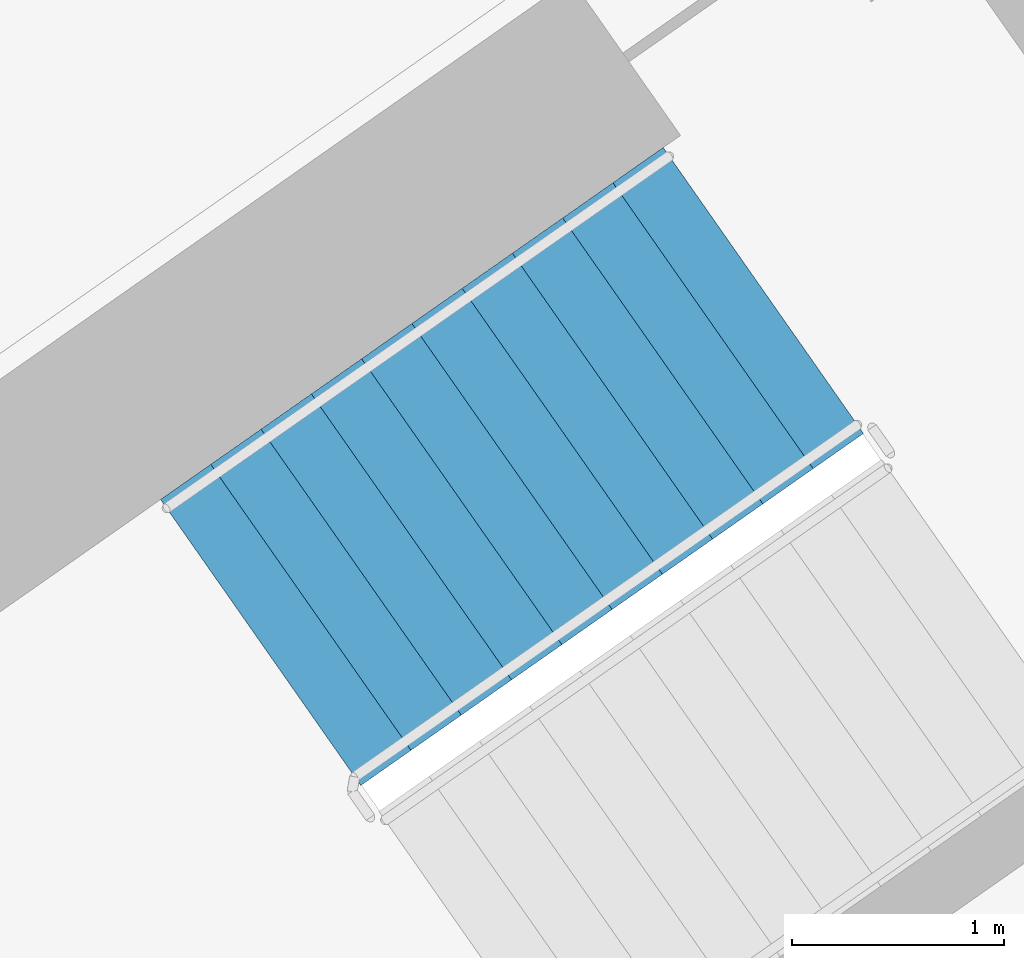
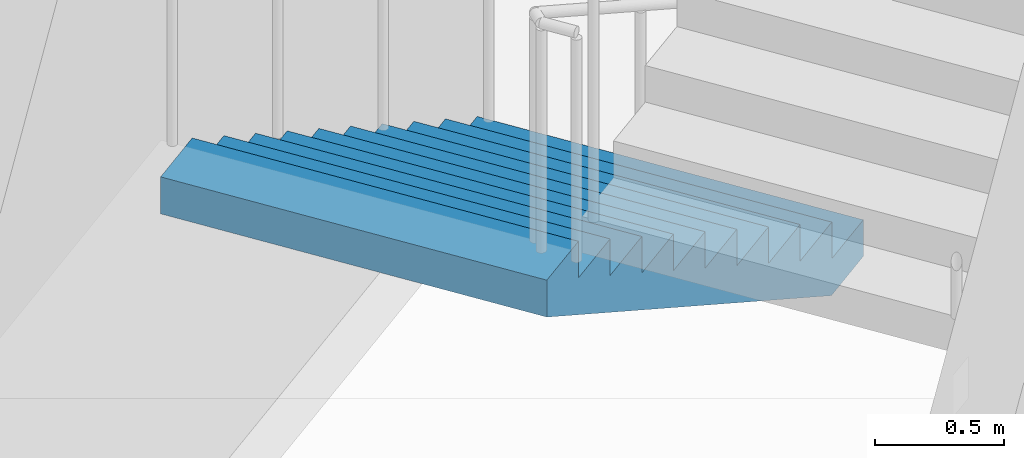
# One storey, part 14 of 31: 1 stair flight, 1 element without a shape of its own.
"""IFC4 building model written with IfcOpenShell, lengths in metres."""

from ifc_helpers import new_model, si_unit, direction, frame, origin, place, context, subcontext, project, spatial, faceted_brep, material, type_object, element, aggregate, save


model = new_model("IFC4")

# Units and contexts
model_context = context("Model", 3, precision=1e-05, world=origin(), true_north=direction((0.0, 1.0)))
body_context = subcontext(model_context, "Body", "Model", "MODEL_VIEW")
ifc_project = project(units=[si_unit("LENGTHUNIT", "METRE"), si_unit("AREAUNIT", "SQUARE_METRE"), si_unit("VOLUMEUNIT", "CUBIC_METRE"), si_unit("PLANEANGLEUNIT", "RADIAN"), si_unit("MASSUNIT", "GRAM", prefix="KILO")], contexts=[model_context])

# Site, building, storey
site_placement = place(None, origin())
site = spatial("IfcSite", under=ifc_project, at=site_placement, CompositionType="ELEMENT")
building_placement = place(site_placement, origin())
building = spatial("IfcBuilding", under=site, at=building_placement, Name="Qamariyya Broadcast Tower", CompositionType="ELEMENT")
storey_placement = place(building_placement, frame((0.0, 0.0, 55.699951171875)))
storey = spatial("IfcBuildingStorey", under=building, at=storey_placement, Name="L10", CompositionType="ELEMENT", Elevation=55.699951171875)

# Stair, stair flight
ifc_material = material(Name="Concrete C50/60", Category="concrete")
stair_type = type_object("IfcStairType", Name="Exit stair 22 risers of 173 mm", PredefinedType="HALF_TURN_STAIR", material=ifc_material)
stair_placement = place(storey_placement, origin())
stair = element("IfcStair", 1, at=stair_placement, inside=storey, type_object=stair_type, Name="L10 Stair E2", PredefinedType="HALF_TURN_STAIR")
stair_flight_type = type_object("IfcStairFlightType", Name="Exit stair flight 11 risers of 173 mm", PredefinedType="STRAIGHT", material=ifc_material)
stair_flight_placement = place(storey_placement, frame((40.558837890625, -47.685302734375, 0.0), z_axis=(0.0, 0.0, 1.0), x_axis=(-0.819152044289, -0.573576436351, 0.0)))
stair_flight = element("IfcStairFlight", 2, at=stair_flight_placement, type_object=stair_flight_type, Name="ST-E2 flight 1", NumberOfRisers=11, NumberOfTreads=10, PredefinedType="STRAIGHT", RiserHeight=0.172727273, TreadLength=0.29, context=body_context, shape_type="Brep", body=[
    faceted_brep([(0.0, 0.824951171875, 0.0), (0.0, 0.824951171875, 0.172607421875), (0.2900390625, 0.824951171875, 0.172607421875), (0.2900390625, 0.824951171875, 0.345458984375), (0.580078125, 0.824951171875, 0.345458984375), (0.580078125, 0.824951171875, 0.51806640625), (0.8701171875, 0.824951171875, 0.51806640625), (0.8701171875, 0.824951171875, 0.69091796875), (1.159912109375, 0.824951171875, 0.69091796875), (1.159912109375, 0.824951171875, 0.863525390625), (1.449951171875, 0.824951171875, 0.863525390625), (1.449951171875, 0.824951171875, 1.036376953125), (1.739990234375, 0.824951171875, 1.036376953125), (1.739990234375, 0.824951171875, 1.208984375), (2.030029296875, 0.824951171875, 1.208984375), (2.030029296875, 0.824951171875, 1.3818359375), (2.320068359375, 0.824951171875, 1.3818359375), (2.320068359375, 0.824951171875, 1.554443359375), (2.610107421875, 0.824951171875, 1.554443359375), (2.610107421875, 0.824951171875, 1.727294921875), (2.89990234375, 0.824951171875, 1.727294921875), (2.89990234375, 0.824951171875, 1.552734375), (0.29296875, 0.824951171875, 0.0), (0.29296875, -0.824951171875, 0.0), (2.89990234375, -0.824951171875, 1.552734375), (2.89990234375, -0.824951171875, 1.727294921875), (2.610107421875, -0.824951171875, 1.727294921875), (2.610107421875, -0.824951171875, 1.554443359375), (2.320068359375, -0.824951171875, 1.554443359375), (2.320068359375, -0.824951171875, 1.3818359375), (2.030029296875, -0.824951171875, 1.3818359375), (2.030029296875, -0.824951171875, 1.208984375), (1.739990234375, -0.824951171875, 1.208984375), (1.739990234375, -0.824951171875, 1.036376953125), (1.449951171875, -0.824951171875, 1.036376953125), (1.449951171875, -0.824951171875, 0.863525390625), (1.159912109375, -0.824951171875, 0.863525390625), (1.159912109375, -0.824951171875, 0.69091796875), (0.8701171875, -0.824951171875, 0.69091796875), (0.8701171875, -0.824951171875, 0.51806640625), (0.580078125, -0.824951171875, 0.51806640625), (0.580078125, -0.824951171875, 0.345458984375), (0.2900390625, -0.824951171875, 0.345458984375), (0.2900390625, -0.824951171875, 0.172607421875), (0.0, -0.824951171875, 0.172607421875), (0.0, -0.824951171875, 0.0), (0.0, 0.10009765625, 0.0), (0.0, 0.086669921875, 0.0), (0.0, 0.0732421875, 0.0), (0.0, 0.06005859375, 0.0), (0.0, 0.046630859375, 0.0), (0.0, 0.033447265625, 0.0), (0.0, 0.02001953125, 0.0), (0.0, 0.006591796875, 0.0), (0.0, -0.006591796875, 0.0), (0.0, -0.02001953125, 0.0), (0.0, -0.033447265625, 0.0), (0.0, -0.046630859375, 0.0), (0.0, -0.06005859375, 0.0), (0.0, -0.0732421875, 0.0), (0.0, -0.086669921875, 0.0), (0.0, -0.10009765625, 0.0), (0.0, -0.10009765625, 0.172607421875), (0.0, -0.086669921875, 0.172607421875), (0.0, -0.0732421875, 0.172607421875), (0.0, -0.06005859375, 0.172607421875), (0.0, -0.046630859375, 0.172607421875), (0.0, -0.033447265625, 0.172607421875), (0.0, -0.02001953125, 0.172607421875), (0.0, -0.006591796875, 0.172607421875), (0.0, 0.006591796875, 0.172607421875), (0.0, 0.02001953125, 0.172607421875), (0.0, 0.033447265625, 0.172607421875), (0.0, 0.046630859375, 0.172607421875), (0.0, 0.06005859375, 0.172607421875), (0.0, 0.0732421875, 0.172607421875), (0.0, 0.086669921875, 0.172607421875), (0.0, 0.10009765625, 0.172607421875), (0.2900390625, -0.10009765625, 0.172607421875), (0.2900390625, -0.086669921875, 0.172607421875), (0.2900390625, -0.0732421875, 0.172607421875), (0.2900390625, -0.06005859375, 0.172607421875), (0.2900390625, -0.046630859375, 0.172607421875), (0.2900390625, -0.033447265625, 0.172607421875), (0.2900390625, -0.02001953125, 0.172607421875), (0.2900390625, -0.006591796875, 0.172607421875), (0.2900390625, 0.006591796875, 0.172607421875), (0.2900390625, 0.02001953125, 0.172607421875), (0.2900390625, 0.033447265625, 0.172607421875), (0.2900390625, 0.046630859375, 0.172607421875), (0.2900390625, 0.06005859375, 0.172607421875), (0.2900390625, 0.0732421875, 0.172607421875), (0.2900390625, 0.086669921875, 0.172607421875), (0.2900390625, 0.10009765625, 0.172607421875), (0.2900390625, -0.10009765625, 0.345458984375), (0.2900390625, -0.086669921875, 0.345458984375), (0.2900390625, -0.0732421875, 0.345458984375), (0.2900390625, -0.06005859375, 0.345458984375), (0.2900390625, -0.046630859375, 0.345458984375), (0.2900390625, -0.033447265625, 0.345458984375), (0.2900390625, -0.02001953125, 0.345458984375), (0.2900390625, -0.006591796875, 0.345458984375), (0.2900390625, 0.006591796875, 0.345458984375), (0.2900390625, 0.02001953125, 0.345458984375), (0.2900390625, 0.033447265625, 0.345458984375), (0.2900390625, 0.046630859375, 0.345458984375), (0.2900390625, 0.06005859375, 0.345458984375), (0.2900390625, 0.0732421875, 0.345458984375), (0.2900390625, 0.086669921875, 0.345458984375), (0.2900390625, 0.10009765625, 0.345458984375), (0.580078125, -0.10009765625, 0.345458984375), (0.580078125, -0.086669921875, 0.345458984375), (0.580078125, -0.0732421875, 0.345458984375), (0.580078125, -0.06005859375, 0.345458984375), (0.580078125, -0.046630859375, 0.345458984375), (0.580078125, -0.033447265625, 0.345458984375), (0.580078125, -0.02001953125, 0.345458984375), (0.580078125, -0.006591796875, 0.345458984375), (0.580078125, 0.006591796875, 0.345458984375), (0.580078125, 0.02001953125, 0.345458984375), (0.580078125, 0.033447265625, 0.345458984375), (0.580078125, 0.046630859375, 0.345458984375), (0.580078125, 0.06005859375, 0.345458984375), (0.580078125, 0.0732421875, 0.345458984375), (0.580078125, 0.086669921875, 0.345458984375), (0.580078125, 0.10009765625, 0.345458984375), (0.580078125, -0.10009765625, 0.51806640625), (0.580078125, -0.086669921875, 0.51806640625), (0.580078125, -0.0732421875, 0.51806640625), (0.580078125, -0.06005859375, 0.51806640625), (0.580078125, -0.046630859375, 0.51806640625), (0.580078125, -0.033447265625, 0.51806640625), (0.580078125, -0.02001953125, 0.51806640625), (0.580078125, -0.006591796875, 0.51806640625), (0.580078125, 0.006591796875, 0.51806640625), (0.580078125, 0.02001953125, 0.51806640625), (0.580078125, 0.033447265625, 0.51806640625), (0.580078125, 0.046630859375, 0.51806640625), (0.580078125, 0.06005859375, 0.51806640625), (0.580078125, 0.0732421875, 0.51806640625), (0.580078125, 0.086669921875, 0.51806640625), (0.580078125, 0.10009765625, 0.51806640625), (0.8701171875, -0.10009765625, 0.51806640625), (0.8701171875, -0.086669921875, 0.51806640625), (0.8701171875, -0.0732421875, 0.51806640625), (0.8701171875, -0.06005859375, 0.51806640625), (0.8701171875, -0.046630859375, 0.51806640625), (0.8701171875, -0.033447265625, 0.51806640625), (0.8701171875, -0.02001953125, 0.51806640625), (0.8701171875, -0.006591796875, 0.51806640625), (0.8701171875, 0.006591796875, 0.51806640625), (0.8701171875, 0.02001953125, 0.51806640625), (0.8701171875, 0.033447265625, 0.51806640625), (0.8701171875, 0.046630859375, 0.51806640625), (0.8701171875, 0.06005859375, 0.51806640625), (0.8701171875, 0.0732421875, 0.51806640625), (0.8701171875, 0.086669921875, 0.51806640625), (0.8701171875, 0.10009765625, 0.51806640625), (0.8701171875, -0.10009765625, 0.69091796875), (0.8701171875, -0.086669921875, 0.69091796875), (0.8701171875, -0.0732421875, 0.69091796875), (0.8701171875, -0.06005859375, 0.69091796875), (0.8701171875, -0.046630859375, 0.69091796875), (0.8701171875, -0.033447265625, 0.69091796875), (0.8701171875, -0.02001953125, 0.69091796875), (0.8701171875, -0.006591796875, 0.69091796875), (0.8701171875, 0.006591796875, 0.69091796875), (0.8701171875, 0.02001953125, 0.69091796875), (0.8701171875, 0.033447265625, 0.69091796875), (0.8701171875, 0.046630859375, 0.69091796875), (0.8701171875, 0.06005859375, 0.69091796875), (0.8701171875, 0.0732421875, 0.69091796875), (0.8701171875, 0.086669921875, 0.69091796875), (0.8701171875, 0.10009765625, 0.69091796875), (1.159912109375, -0.10009765625, 0.69091796875), (1.159912109375, -0.086669921875, 0.69091796875), (1.159912109375, -0.0732421875, 0.69091796875), (1.159912109375, -0.06005859375, 0.69091796875), (1.159912109375, -0.046630859375, 0.69091796875), (1.159912109375, -0.033447265625, 0.69091796875), (1.159912109375, -0.02001953125, 0.69091796875), (1.159912109375, -0.006591796875, 0.69091796875), (1.159912109375, 0.006591796875, 0.69091796875), (1.159912109375, 0.02001953125, 0.69091796875), (1.159912109375, 0.033447265625, 0.69091796875), (1.159912109375, 0.046630859375, 0.69091796875), (1.159912109375, 0.06005859375, 0.69091796875), (1.159912109375, 0.0732421875, 0.69091796875), (1.159912109375, 0.086669921875, 0.69091796875), (1.159912109375, 0.10009765625, 0.69091796875), (1.159912109375, -0.10009765625, 0.863525390625), (1.159912109375, -0.086669921875, 0.863525390625), (1.159912109375, -0.0732421875, 0.863525390625), (1.159912109375, -0.06005859375, 0.863525390625), (1.159912109375, -0.046630859375, 0.863525390625), (1.159912109375, -0.033447265625, 0.863525390625), (1.159912109375, -0.02001953125, 0.863525390625), (1.159912109375, -0.006591796875, 0.863525390625), (1.159912109375, 0.006591796875, 0.863525390625), (1.159912109375, 0.02001953125, 0.863525390625), (1.159912109375, 0.033447265625, 0.863525390625), (1.159912109375, 0.046630859375, 0.863525390625), (1.159912109375, 0.06005859375, 0.863525390625), (1.159912109375, 0.0732421875, 0.863525390625), (1.159912109375, 0.086669921875, 0.863525390625), (1.159912109375, 0.10009765625, 0.863525390625), (1.449951171875, -0.10009765625, 0.863525390625), (1.449951171875, -0.086669921875, 0.863525390625), (1.449951171875, -0.0732421875, 0.863525390625), (1.449951171875, -0.06005859375, 0.863525390625), (1.449951171875, -0.046630859375, 0.863525390625), (1.449951171875, -0.033447265625, 0.863525390625), (1.449951171875, -0.02001953125, 0.863525390625), (1.449951171875, -0.006591796875, 0.863525390625), (1.449951171875, 0.006591796875, 0.863525390625), (1.449951171875, 0.02001953125, 0.863525390625), (1.449951171875, 0.033447265625, 0.863525390625), (1.449951171875, 0.046630859375, 0.863525390625), (1.449951171875, 0.06005859375, 0.863525390625), (1.449951171875, 0.0732421875, 0.863525390625), (1.449951171875, 0.086669921875, 0.863525390625), (1.449951171875, 0.10009765625, 0.863525390625), (1.449951171875, -0.10009765625, 1.036376953125), (1.449951171875, -0.086669921875, 1.036376953125), (1.449951171875, -0.0732421875, 1.036376953125), (1.449951171875, -0.06005859375, 1.036376953125), (1.449951171875, -0.046630859375, 1.036376953125), (1.449951171875, -0.033447265625, 1.036376953125), (1.449951171875, -0.02001953125, 1.036376953125), (1.449951171875, -0.006591796875, 1.036376953125), (1.449951171875, 0.006591796875, 1.036376953125), (1.449951171875, 0.02001953125, 1.036376953125), (1.449951171875, 0.033447265625, 1.036376953125), (1.449951171875, 0.046630859375, 1.036376953125), (1.449951171875, 0.06005859375, 1.036376953125), (1.449951171875, 0.0732421875, 1.036376953125), (1.449951171875, 0.086669921875, 1.036376953125), (1.449951171875, 0.10009765625, 1.036376953125), (1.739990234375, -0.10009765625, 1.036376953125), (1.739990234375, -0.086669921875, 1.036376953125), (1.739990234375, -0.0732421875, 1.036376953125), (1.739990234375, -0.06005859375, 1.036376953125), (1.739990234375, -0.046630859375, 1.036376953125), (1.739990234375, -0.033447265625, 1.036376953125), (1.739990234375, -0.02001953125, 1.036376953125), (1.739990234375, -0.006591796875, 1.036376953125), (1.739990234375, 0.006591796875, 1.036376953125), (1.739990234375, 0.02001953125, 1.036376953125), (1.739990234375, 0.033447265625, 1.036376953125), (1.739990234375, 0.046630859375, 1.036376953125), (1.739990234375, 0.06005859375, 1.036376953125), (1.739990234375, 0.0732421875, 1.036376953125), (1.739990234375, 0.086669921875, 1.036376953125), (1.739990234375, 0.10009765625, 1.036376953125), (1.739990234375, -0.10009765625, 1.208984375), (1.739990234375, -0.086669921875, 1.208984375), (1.739990234375, -0.0732421875, 1.208984375), (1.739990234375, -0.06005859375, 1.208984375), (1.739990234375, -0.046630859375, 1.208984375), (1.739990234375, -0.033447265625, 1.208984375), (1.739990234375, -0.02001953125, 1.208984375), (1.739990234375, -0.006591796875, 1.208984375), (1.739990234375, 0.006591796875, 1.208984375), (1.739990234375, 0.02001953125, 1.208984375), (1.739990234375, 0.033447265625, 1.208984375), (1.739990234375, 0.046630859375, 1.208984375), (1.739990234375, 0.06005859375, 1.208984375), (1.739990234375, 0.0732421875, 1.208984375), (1.739990234375, 0.086669921875, 1.208984375), (1.739990234375, 0.10009765625, 1.208984375), (2.030029296875, -0.10009765625, 1.208984375), (2.030029296875, -0.086669921875, 1.208984375), (2.030029296875, -0.0732421875, 1.208984375), (2.030029296875, -0.06005859375, 1.208984375), (2.030029296875, -0.046630859375, 1.208984375), (2.030029296875, -0.033447265625, 1.208984375), (2.030029296875, -0.02001953125, 1.208984375), (2.030029296875, -0.006591796875, 1.208984375), (2.030029296875, 0.006591796875, 1.208984375), (2.030029296875, 0.02001953125, 1.208984375), (2.030029296875, 0.033447265625, 1.208984375), (2.030029296875, 0.046630859375, 1.208984375), (2.030029296875, 0.06005859375, 1.208984375), (2.030029296875, 0.0732421875, 1.208984375), (2.030029296875, 0.086669921875, 1.208984375), (2.030029296875, 0.10009765625, 1.208984375), (2.030029296875, -0.10009765625, 1.3818359375), (2.030029296875, -0.086669921875, 1.3818359375), (2.030029296875, -0.0732421875, 1.3818359375), (2.030029296875, -0.06005859375, 1.3818359375), (2.030029296875, -0.046630859375, 1.3818359375), (2.030029296875, -0.033447265625, 1.3818359375), (2.030029296875, -0.02001953125, 1.3818359375), (2.030029296875, -0.006591796875, 1.3818359375), (2.030029296875, 0.006591796875, 1.3818359375), (2.030029296875, 0.02001953125, 1.3818359375), (2.030029296875, 0.033447265625, 1.3818359375), (2.030029296875, 0.046630859375, 1.3818359375), (2.030029296875, 0.06005859375, 1.3818359375), (2.030029296875, 0.0732421875, 1.3818359375), (2.030029296875, 0.086669921875, 1.3818359375), (2.030029296875, 0.10009765625, 1.3818359375), (2.320068359375, -0.10009765625, 1.3818359375), (2.320068359375, -0.086669921875, 1.3818359375), (2.320068359375, -0.0732421875, 1.3818359375), (2.320068359375, -0.06005859375, 1.3818359375), (2.320068359375, -0.046630859375, 1.3818359375), (2.320068359375, -0.033447265625, 1.3818359375), (2.320068359375, -0.02001953125, 1.3818359375), (2.320068359375, -0.006591796875, 1.3818359375), (2.320068359375, 0.006591796875, 1.3818359375), (2.320068359375, 0.02001953125, 1.3818359375), (2.320068359375, 0.033447265625, 1.3818359375), (2.320068359375, 0.046630859375, 1.3818359375), (2.320068359375, 0.06005859375, 1.3818359375), (2.320068359375, 0.0732421875, 1.3818359375), (2.320068359375, 0.086669921875, 1.3818359375), (2.320068359375, 0.10009765625, 1.3818359375), (2.320068359375, -0.10009765625, 1.554443359375), (2.320068359375, -0.086669921875, 1.554443359375), (2.320068359375, -0.0732421875, 1.554443359375), (2.320068359375, -0.06005859375, 1.554443359375), (2.320068359375, -0.046630859375, 1.554443359375), (2.320068359375, -0.033447265625, 1.554443359375), (2.320068359375, -0.02001953125, 1.554443359375), (2.320068359375, -0.006591796875, 1.554443359375), (2.320068359375, 0.006591796875, 1.554443359375), (2.320068359375, 0.02001953125, 1.554443359375), (2.320068359375, 0.033447265625, 1.554443359375), (2.320068359375, 0.046630859375, 1.554443359375), (2.320068359375, 0.06005859375, 1.554443359375), (2.320068359375, 0.0732421875, 1.554443359375), (2.320068359375, 0.086669921875, 1.554443359375), (2.320068359375, 0.10009765625, 1.554443359375), (2.610107421875, -0.10009765625, 1.554443359375), (2.610107421875, -0.086669921875, 1.554443359375), (2.610107421875, -0.0732421875, 1.554443359375), (2.610107421875, -0.06005859375, 1.554443359375), (2.610107421875, -0.046630859375, 1.554443359375), (2.610107421875, -0.033447265625, 1.554443359375), (2.610107421875, -0.02001953125, 1.554443359375), (2.610107421875, -0.006591796875, 1.554443359375), (2.610107421875, 0.006591796875, 1.554443359375), (2.610107421875, 0.02001953125, 1.554443359375), (2.610107421875, 0.033447265625, 1.554443359375), (2.610107421875, 0.046630859375, 1.554443359375), (2.610107421875, 0.06005859375, 1.554443359375), (2.610107421875, 0.0732421875, 1.554443359375), (2.610107421875, 0.086669921875, 1.554443359375), (2.610107421875, 0.10009765625, 1.554443359375), (2.610107421875, -0.10009765625, 1.727294921875), (2.610107421875, -0.086669921875, 1.727294921875), (2.610107421875, -0.0732421875, 1.727294921875), (2.610107421875, -0.06005859375, 1.727294921875), (2.610107421875, -0.046630859375, 1.727294921875), (2.610107421875, -0.033447265625, 1.727294921875), (2.610107421875, -0.02001953125, 1.727294921875), (2.610107421875, -0.006591796875, 1.727294921875), (2.610107421875, 0.006591796875, 1.727294921875), (2.610107421875, 0.02001953125, 1.727294921875), (2.610107421875, 0.033447265625, 1.727294921875), (2.610107421875, 0.046630859375, 1.727294921875), (2.610107421875, 0.06005859375, 1.727294921875), (2.610107421875, 0.0732421875, 1.727294921875), (2.610107421875, 0.086669921875, 1.727294921875), (2.610107421875, 0.10009765625, 1.727294921875), (2.89990234375, -0.10009765625, 1.727294921875), (2.89990234375, -0.086669921875, 1.727294921875), (2.89990234375, -0.0732421875, 1.727294921875), (2.89990234375, -0.06005859375, 1.727294921875), (2.89990234375, -0.046630859375, 1.727294921875), (2.89990234375, -0.033447265625, 1.727294921875), (2.89990234375, -0.02001953125, 1.727294921875), (2.89990234375, -0.006591796875, 1.727294921875), (2.89990234375, 0.006591796875, 1.727294921875), (2.89990234375, 0.02001953125, 1.727294921875), (2.89990234375, 0.033447265625, 1.727294921875), (2.89990234375, 0.046630859375, 1.727294921875), (2.89990234375, 0.06005859375, 1.727294921875), (2.89990234375, 0.0732421875, 1.727294921875), (2.89990234375, 0.086669921875, 1.727294921875), (2.89990234375, 0.10009765625, 1.727294921875), (2.89990234375, -0.10009765625, 1.552734375), (2.89990234375, -0.086669921875, 1.552734375), (2.89990234375, -0.0732421875, 1.552734375), (2.89990234375, -0.06005859375, 1.552734375), (2.89990234375, -0.046630859375, 1.552734375), (2.89990234375, -0.033447265625, 1.552734375), (2.89990234375, -0.02001953125, 1.552734375), (2.89990234375, -0.006591796875, 1.552734375), (2.89990234375, 0.006591796875, 1.552734375), (2.89990234375, 0.02001953125, 1.552734375), (2.89990234375, 0.033447265625, 1.552734375), (2.89990234375, 0.046630859375, 1.552734375), (2.89990234375, 0.06005859375, 1.552734375), (2.89990234375, 0.0732421875, 1.552734375), (2.89990234375, 0.086669921875, 1.552734375), (2.89990234375, 0.10009765625, 1.552734375), (0.29296875, -0.10009765625, 0.0), (0.29296875, -0.086669921875, 0.0), (0.29296875, -0.0732421875, 0.0), (0.29296875, -0.06005859375, 0.0), (0.29296875, -0.046630859375, 0.0), (0.29296875, -0.033447265625, 0.0), (0.29296875, -0.02001953125, 0.0), (0.29296875, -0.006591796875, 0.0), (0.29296875, 0.006591796875, 0.0), (0.29296875, 0.02001953125, 0.0), (0.29296875, 0.033447265625, 0.0), (0.29296875, 0.046630859375, 0.0), (0.29296875, 0.06005859375, 0.0), (0.29296875, 0.0732421875, 0.0), (0.29296875, 0.086669921875, 0.0), (0.29296875, 0.10009765625, 0.0)], [[[0, 1, 2, 3, 4, 5, 6, 7, 8, 9, 10, 11, 12, 13, 14, 15, 16, 17, 18, 19, 20, 21, 22]], [[23, 24, 25, 26, 27, 28, 29, 30, 31, 32, 33, 34, 35, 36, 37, 38, 39, 40, 41, 42, 43, 44, 45]], [[0, 46, 47, 48, 49, 50, 51, 52, 53, 54, 55, 56, 57, 58, 59, 60, 61, 45, 44, 62, 63, 64, 65, 66, 67, 68, 69, 70, 71, 72, 73, 74, 75, 76, 77, 1]], [[1, 77, 76, 75, 74, 73, 72, 71, 70, 69, 68, 67, 66, 65, 64, 63, 62, 44, 43, 78, 79, 80, 81, 82, 83, 84, 85, 86, 87, 88, 89, 90, 91, 92, 93, 2]], [[2, 93, 92, 91, 90, 89, 88, 87, 86, 85, 84, 83, 82, 81, 80, 79, 78, 43, 42, 94, 95, 96, 97, 98, 99, 100, 101, 102, 103, 104, 105, 106, 107, 108, 109, 3]], [[3, 109, 108, 107, 106, 105, 104, 103, 102, 101, 100, 99, 98, 97, 96, 95, 94, 42, 41, 110, 111, 112, 113, 114, 115, 116, 117, 118, 119, 120, 121, 122, 123, 124, 125, 4]], [[4, 125, 124, 123, 122, 121, 120, 119, 118, 117, 116, 115, 114, 113, 112, 111, 110, 41, 40, 126, 127, 128, 129, 130, 131, 132, 133, 134, 135, 136, 137, 138, 139, 140, 141, 5]], [[5, 141, 140, 139, 138, 137, 136, 135, 134, 133, 132, 131, 130, 129, 128, 127, 126, 40, 39, 142, 143, 144, 145, 146, 147, 148, 149, 150, 151, 152, 153, 154, 155, 156, 157, 6]], [[6, 157, 156, 155, 154, 153, 152, 151, 150, 149, 148, 147, 146, 145, 144, 143, 142, 39, 38, 158, 159, 160, 161, 162, 163, 164, 165, 166, 167, 168, 169, 170, 171, 172, 173, 7]], [[7, 173, 172, 171, 170, 169, 168, 167, 166, 165, 164, 163, 162, 161, 160, 159, 158, 38, 37, 174, 175, 176, 177, 178, 179, 180, 181, 182, 183, 184, 185, 186, 187, 188, 189, 8]], [[8, 189, 188, 187, 186, 185, 184, 183, 182, 181, 180, 179, 178, 177, 176, 175, 174, 37, 36, 190, 191, 192, 193, 194, 195, 196, 197, 198, 199, 200, 201, 202, 203, 204, 205, 9]], [[9, 205, 204, 203, 202, 201, 200, 199, 198, 197, 196, 195, 194, 193, 192, 191, 190, 36, 35, 206, 207, 208, 209, 210, 211, 212, 213, 214, 215, 216, 217, 218, 219, 220, 221, 10]], [[10, 221, 220, 219, 218, 217, 216, 215, 214, 213, 212, 211, 210, 209, 208, 207, 206, 35, 34, 222, 223, 224, 225, 226, 227, 228, 229, 230, 231, 232, 233, 234, 235, 236, 237, 11]], [[11, 237, 236, 235, 234, 233, 232, 231, 230, 229, 228, 227, 226, 225, 224, 223, 222, 34, 33, 238, 239, 240, 241, 242, 243, 244, 245, 246, 247, 248, 249, 250, 251, 252, 253, 12]], [[12, 253, 252, 251, 250, 249, 248, 247, 246, 245, 244, 243, 242, 241, 240, 239, 238, 33, 32, 254, 255, 256, 257, 258, 259, 260, 261, 262, 263, 264, 265, 266, 267, 268, 269, 13]], [[13, 269, 268, 267, 266, 265, 264, 263, 262, 261, 260, 259, 258, 257, 256, 255, 254, 32, 31, 270, 271, 272, 273, 274, 275, 276, 277, 278, 279, 280, 281, 282, 283, 284, 285, 14]], [[14, 285, 284, 283, 282, 281, 280, 279, 278, 277, 276, 275, 274, 273, 272, 271, 270, 31, 30, 286, 287, 288, 289, 290, 291, 292, 293, 294, 295, 296, 297, 298, 299, 300, 301, 15]], [[15, 301, 300, 299, 298, 297, 296, 295, 294, 293, 292, 291, 290, 289, 288, 287, 286, 30, 29, 302, 303, 304, 305, 306, 307, 308, 309, 310, 311, 312, 313, 314, 315, 316, 317, 16]], [[16, 317, 316, 315, 314, 313, 312, 311, 310, 309, 308, 307, 306, 305, 304, 303, 302, 29, 28, 318, 319, 320, 321, 322, 323, 324, 325, 326, 327, 328, 329, 330, 331, 332, 333, 17]], [[17, 333, 332, 331, 330, 329, 328, 327, 326, 325, 324, 323, 322, 321, 320, 319, 318, 28, 27, 334, 335, 336, 337, 338, 339, 340, 341, 342, 343, 344, 345, 346, 347, 348, 349, 18]], [[18, 349, 348, 347, 346, 345, 344, 343, 342, 341, 340, 339, 338, 337, 336, 335, 334, 27, 26, 350, 351, 352, 353, 354, 355, 356, 357, 358, 359, 360, 361, 362, 363, 364, 365, 19]], [[19, 365, 364, 363, 362, 361, 360, 359, 358, 357, 356, 355, 354, 353, 352, 351, 350, 26, 25, 366, 367, 368, 369, 370, 371, 372, 373, 374, 375, 376, 377, 378, 379, 380, 381, 20]], [[20, 381, 380, 379, 378, 377, 376, 375, 374, 373, 372, 371, 370, 369, 368, 367, 366, 25, 24, 382, 383, 384, 385, 386, 387, 388, 389, 390, 391, 392, 393, 394, 395, 396, 397, 21]], [[21, 397, 396, 395, 394, 393, 392, 391, 390, 389, 388, 387, 386, 385, 384, 383, 382, 24, 23, 398, 399, 400, 401, 402, 403, 404, 405, 406, 407, 408, 409, 410, 411, 412, 413, 22]], [[22, 413, 412, 411, 410, 409, 408, 407, 406, 405, 404, 403, 402, 401, 400, 399, 398, 23, 45, 61, 60, 59, 58, 57, 56, 55, 54, 53, 52, 51, 50, 49, 48, 47, 46, 0]]]),
])
aggregate(stair, [stair_flight])

save(model, "model.ifc")
